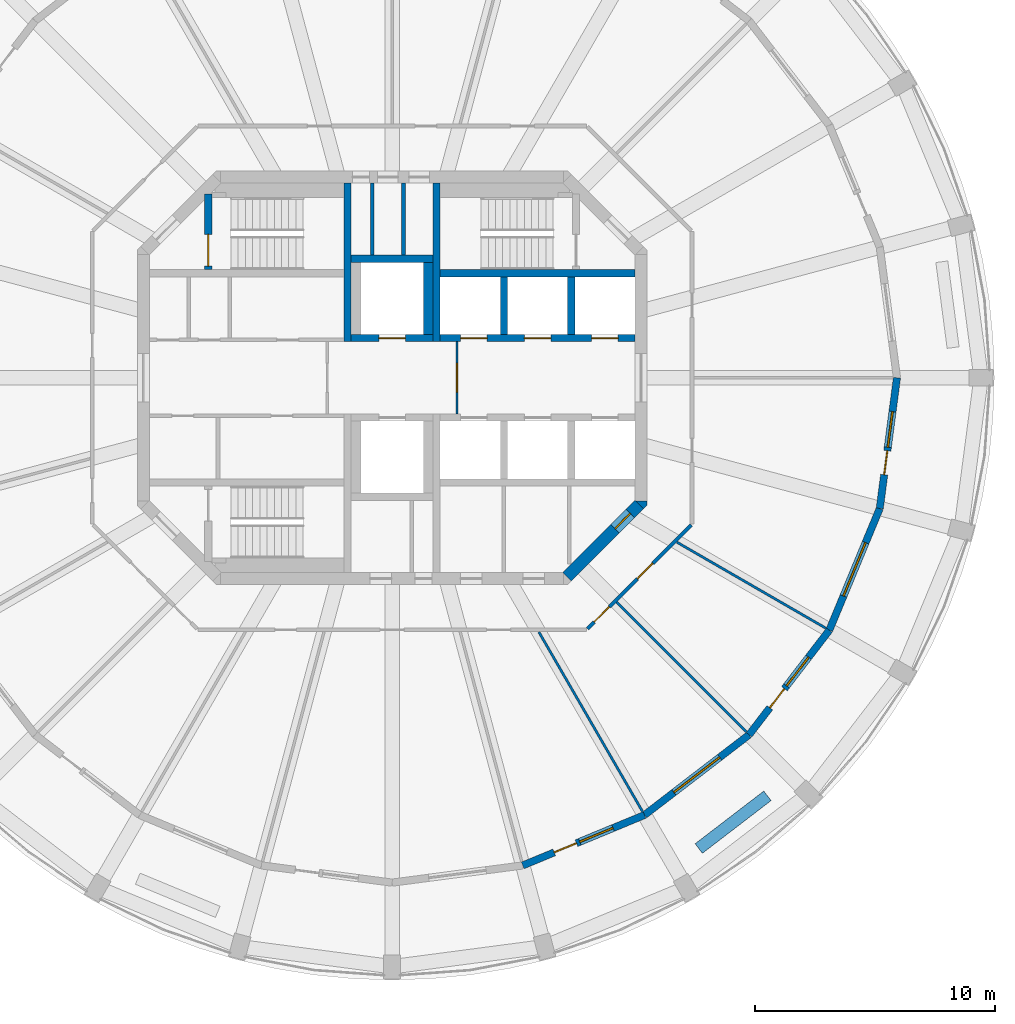
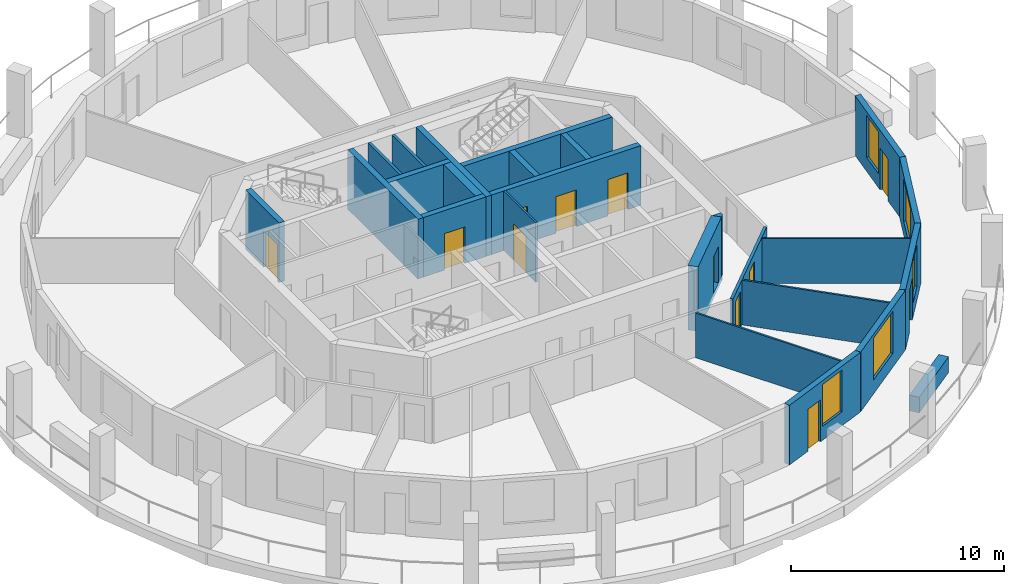
# One storey, part 4 of 8: 25 walls, 12 doors, 5 windows, 17 openings.
"""IFC4 building model written with IfcOpenShell, lengths in metres."""

from ifc_helpers import new_model, si_unit, direction, frame, frame_2d, origin, place, context, subcontext, project, spatial, polyline, rectangle, outline, extrude, material, layer, layer_set, type_object, element, fill, save


model = new_model("IFC4")

# Units and contexts
model_context = context("Model", 3, precision=1e-05, world=origin(), true_north=direction((0.0, 1.0)))
body_context = subcontext(model_context, "Body", "Model", "MODEL_VIEW")
ifc_project = project(units=[si_unit("LENGTHUNIT", "METRE"), si_unit("AREAUNIT", "SQUARE_METRE"), si_unit("VOLUMEUNIT", "CUBIC_METRE"), si_unit("PLANEANGLEUNIT", "RADIAN"), si_unit("MASSUNIT", "GRAM", prefix="KILO")], contexts=[model_context])

# Site, building, storey
site_placement = place(None, origin())
site = spatial("IfcSite", under=ifc_project, at=site_placement, CompositionType="ELEMENT")
building_placement = place(site_placement, origin())
building = spatial("IfcBuilding", under=site, at=building_placement, Name="Torre Triforio", CompositionType="ELEMENT")
storey_placement = place(building_placement, frame((0.0, 0.0, 257.5)))
storey = spatial("IfcBuildingStorey", under=building, at=storey_placement, Name="L59", CompositionType="ELEMENT", Elevation=257.5)

# Walls
ifc_material_1 = material(Name="Concrete C40", Category="concrete")
ifc_layer_1 = layer(ifc_material_1, 0.300048828125)
ifc_layer_set_1 = layer_set([ifc_layer_1], Name="Concrete C40")
wall_type_1 = type_object("IfcWallType", Name="Core wall 300 mm C40 EI 120", PredefinedType="SHEAR", material=ifc_layer_set_1)
for number, where, z_axis, x_axis, name in (
    (1, (-1.85009765625, 1.5, 0.0), (0.0, 0.0, 1.0), (0.0, 1.0, 0.0), "Core wall"),
    (2, (1.85009765625, 1.5, 0.0), (0.0, 0.0, 1.0), (0.0, 1.0, 0.0), "Core wall"),
):
    element("IfcWall", number, at=place(storey_placement, frame(where, z_axis=z_axis, x_axis=x_axis)), inside=storey, type_object=wall_type_1, Name=name, PredefinedType="SHEAR", context=body_context, shape_type="SweptSolid", body=[
        extrude(rectangle(XDim=6.60009765625, YDim=0.300048828125, at=frame_2d((3.300048828125, 0.0))), origin(), (0.0, 0.0, 1.0), 3.419921875),
    ])

# Wall, opening, door
ifc_layer_2 = layer(ifc_material_1, 0.5)
ifc_layer_set_2 = layer_set([ifc_layer_2], Name="Concrete C40")
wall_type_2 = type_object("IfcWallType", Name="Core wall 500 mm C40 EI 120", PredefinedType="SHEAR", material=ifc_layer_set_2)
wall_1_placement = place(storey_placement, frame((10.27685546875, -5.27685546875, -0.280029296875), z_axis=(0.0, 0.0, 1.0), x_axis=(-0.707106781187, -0.707106781187, 0.0)))
wall_1 = element("IfcWall", 3, at=wall_1_placement, inside=storey, type_object=wall_type_2, Name="Core wall", PredefinedType="SHEAR", context=body_context, shape_type="SweptSolid", body=[
    extrude(rectangle(XDim=4.24267578125, YDim=0.5, at=frame_2d((2.121337890625, 0.0))), origin(), (0.0, 0.0, 1.0), 3.699951171875),
])
opening_1_placement = place(wall_1_placement, frame((0.52001953125, 0.0, 0.280029296875)))
opening_1 = element("IfcOpeningElement", 4, at=opening_1_placement, cuts=wall_1, Name="Opening SE-03", PredefinedType="OPENING", context=body_context, shape_type="SweptSolid", body=[
    extrude(rectangle(XDim=0.89990234375, YDim=2.10009765625, at=frame_2d((0.449951171875, 1.050048828125))), frame((0.0, 0.260009765625, 0.0), z_axis=(0.0, -1.0, 0.0), x_axis=(1.0, 0.0, 0.0)), (0.0, 0.0, 1.0), 0.52001953125),
])
ifc_material_2 = material(Name="Hollow metal fire door leaf")
door_type_1 = type_object("IfcDoorType", Name="Room door 900 x 2100 EI 60", OperationType="NOTDEFINED", PredefinedType="DOOR", material=ifc_material_2)
door_1_placement = place(opening_1_placement, origin())
door_1 = element("IfcDoor", 5, at=door_1_placement, inside=storey, type_object=door_type_1, Name="Core door SE-03", OperationType="SINGLE_SWING_RIGHT", OverallHeight=2.10009765625, OverallWidth=0.89990234375, PredefinedType="DOOR", context=body_context, shape_type="SweptSolid", body=[
    extrude(rectangle(XDim=0.89990234375, YDim=2.10009765625, at=frame_2d((0.449951171875, 1.050048828125))), frame((0.0, 0.02490234375, 0.0), z_axis=(0.0, -1.0, 0.0), x_axis=(1.0, 0.0, 0.0)), (0.0, 0.0, 1.0), 0.050048828125),
])
fill(opening_1, door_1)

# Wall
wall_2_placement = place(storey_placement, frame((0.0, 0.0, -0.280029296875)))
element("IfcWall", 6, at=wall_2_placement, inside=storey, type_object=wall_type_2, Name="Core wall", PredefinedType="SHEAR", context=body_context, shape_type="SweptSolid", body=[
    extrude(outline(polyline([(10.60009765625, -5.30712890625), (10.45361328125, -5.45361328125), (10.1298828125, -5.1298828125), (10.60009765625, -5.1298828125), (10.60009765625, -5.30712890625)])), origin(), (0.0, 0.0, 1.0), 3.699951171875),
])

# Wall, openings, doors
ifc_material_3 = material(Name="Plasterboard on metal studs")
ifc_layer_3 = layer(ifc_material_3, 0.14990234375)
ifc_layer_set_3 = layer_set([ifc_layer_3], Name="Plasterboard on metal studs")
wall_type_3 = type_object("IfcWallType", Name="Corridor and tenancy wall 150 mm EI 60", PredefinedType="PARTITIONING", material=ifc_layer_set_3)
wall_3_placement = place(storey_placement, frame((12.43798828125, -6.120849609375, 0.0), z_axis=(0.0, 0.0, 1.0), x_axis=(-0.707106781187, -0.707106781187, 0.0)))
wall_3 = element("IfcWall", 7, at=wall_3_placement, inside=storey, type_object=wall_type_3, Name="Partition 1", PredefinedType="PARTITIONING", context=body_context, shape_type="SweptSolid", body=[
    extrude(rectangle(XDim=6.10546875, YDim=0.14990234375, at=frame_2d((3.052734375, 0.0))), origin(), (0.0, 0.0, 1.0), 2.570068359375),
])
opening_2_placement = place(wall_3_placement, frame((4.81103515625, 0.0, 0.0)))
opening_2 = element("IfcOpeningElement", 8, at=opening_2_placement, cuts=wall_3, Name="Opening E1-12", PredefinedType="OPENING", context=body_context, shape_type="SweptSolid", body=[
    extrude(rectangle(XDim=0.89990234375, YDim=2.10009765625, at=frame_2d((0.449951171875, 1.050048828125))), frame((0.0, 0.0849609375, 0.0), z_axis=(0.0, -1.0, 0.0), x_axis=(1.0, 0.0, 0.0)), (0.0, 0.0, 1.0), 0.169921875),
])
opening_3_placement = place(wall_3_placement, frame((2.2578125, 0.0, 0.0)))
opening_3 = element("IfcOpeningElement", 9, at=opening_3_placement, cuts=wall_3, Name="Opening E1-13", PredefinedType="OPENING", context=body_context, shape_type="SweptSolid", body=[
    extrude(rectangle(XDim=0.89990234375, YDim=2.10009765625, at=frame_2d((0.449951171875, 1.050048828125))), frame((0.0, 0.0849609375, 0.0), z_axis=(0.0, -1.0, 0.0), x_axis=(1.0, 0.0, 0.0)), (0.0, 0.0, 1.0), 0.169921875),
])
ifc_material_4 = material(Name="Timber", Category="wood")
door_type_2 = type_object("IfcDoorType", Name="Door 900 x 2100 single leaf EI 30", OperationType="NOTDEFINED", PredefinedType="DOOR", material=ifc_material_4)
door_2_placement = place(opening_2_placement, origin())
door_2 = element("IfcDoor", 10, at=door_2_placement, inside=storey, type_object=door_type_2, Name="Door E1-12", OperationType="SINGLE_SWING_LEFT", OverallHeight=2.10009765625, OverallWidth=0.89990234375, PredefinedType="DOOR", context=body_context, shape_type="SweptSolid", body=[
    extrude(rectangle(XDim=0.89990234375, YDim=2.10009765625, at=frame_2d((0.449951171875, 1.050048828125))), frame((0.0, 0.02490234375, 0.0), z_axis=(0.0, -1.0, 0.0), x_axis=(1.0, 0.0, 0.0)), (0.0, 0.0, 1.0), 0.050048828125),
])
fill(opening_2, door_2)
door_3_placement = place(opening_3_placement, origin())
door_3 = element("IfcDoor", 11, at=door_3_placement, inside=storey, type_object=door_type_2, Name="Door E1-13", OperationType="SINGLE_SWING_LEFT", OverallHeight=2.10009765625, OverallWidth=0.89990234375, PredefinedType="DOOR", context=body_context, shape_type="SweptSolid", body=[
    extrude(rectangle(XDim=0.89990234375, YDim=2.10009765625, at=frame_2d((0.449951171875, 1.050048828125))), frame((0.0, 0.02490234375, 0.0), z_axis=(0.0, -1.0, 0.0), x_axis=(1.0, 0.0, 0.0)), (0.0, 0.0, 1.0), 0.050048828125),
])
fill(opening_3, door_3)

# Wall, opening, door
ifc_material_5 = material(Name="Block and board partition")
ifc_layer_4 = layer(ifc_material_5, 0.10009765625)
ifc_layer_set_4 = layer_set([ifc_layer_4], Name="Block and board partition")
wall_type_4 = type_object("IfcWallType", Name="Partition 100 mm EI 120", PredefinedType="PARTITIONING", material=ifc_layer_set_4)
wall_4_placement = place(storey_placement, frame((2.699951171875, -1.5, 0.0), z_axis=(0.0, 0.0, 1.0), x_axis=(0.0, 1.0, 0.0)))
wall_4 = element("IfcWall", 12, at=wall_4_placement, inside=storey, type_object=wall_type_4, Name="Partition", PredefinedType="PARTITIONING", context=body_context, shape_type="SweptSolid", body=[
    extrude(rectangle(XDim=3.0, YDim=0.10009765625, at=frame_2d((1.5, 0.0))), origin(), (0.0, 0.0, 1.0), 3.419921875),
])
opening_4_placement = place(wall_4_placement, frame((0.89990234375, 0.0, 0.0)))
opening_4 = element("IfcOpeningElement", 13, at=opening_4_placement, cuts=wall_4, Name="Opening FF-E", PredefinedType="OPENING", context=body_context, shape_type="SweptSolid", body=[
    extrude(rectangle(XDim=1.199951171875, YDim=2.10009765625, at=frame_2d((0.60009765625, 1.050048828125))), frame((0.0, 0.06005859375, 0.0), z_axis=(0.0, -1.0, 0.0), x_axis=(1.0, 0.0, 0.0)), (0.0, 0.0, 1.0), 0.1201171875),
])
door_type_3 = type_object("IfcDoorType", Name="Fire-fighting lobby door 1200 x 2100 EI 60", OperationType="NOTDEFINED", PredefinedType="DOOR", material=ifc_material_2)
door_4_placement = place(opening_4_placement, origin())
door_4 = element("IfcDoor", 14, at=door_4_placement, inside=storey, type_object=door_type_3, Name="Core door FF-E", OperationType="SINGLE_SWING_LEFT", OverallHeight=2.10009765625, OverallWidth=1.199951171875, PredefinedType="DOOR", context=body_context, shape_type="SweptSolid", body=[
    extrude(rectangle(XDim=1.199951171875, YDim=2.10009765625, at=frame_2d((0.60009765625, 1.050048828125))), frame((0.0, 0.02490234375, 0.0), z_axis=(0.0, -1.0, 0.0), x_axis=(1.0, 0.0, 0.0)), (0.0, 0.0, 1.0), 0.050048828125),
])
fill(opening_4, door_4)

# Walls
ifc_layer_5 = layer(ifc_material_3, 0.10009765625)
ifc_layer_set_5 = layer_set([ifc_layer_5], Name="Plasterboard on metal studs")
wall_type_5 = type_object("IfcWallType", Name="Partition 100 mm board on metal studs", PredefinedType="PARTITIONING", material=ifc_layer_set_5)
wall_5_placement = place(storey_placement, frame((6.105224609375, -10.57470703125, 0.0), z_axis=(0.0, 0.0, 1.0), x_axis=(0.50001399067, -0.866017326117, 0.0)))
element("IfcWall", 15, at=wall_5_placement, inside=storey, type_object=wall_type_5, Name="Partition 21", PredefinedType="PARTITIONING", context=body_context, shape_type="SweptSolid", body=[
    extrude(rectangle(XDim=8.626220703125, YDim=0.10009765625, at=frame_2d((4.31298828125, 0.0))), origin(), (0.0, 0.0, 1.0), 2.570068359375),
])
wall_6_placement = place(storey_placement, frame((9.33251953125, -9.33251953125, 0.0), z_axis=(0.0, 0.0, 1.0), x_axis=(0.707106781187, -0.707106781187, 0.0)))
element("IfcWall", 16, at=wall_6_placement, inside=storey, type_object=wall_type_5, Name="Partition 22", PredefinedType="PARTITIONING", context=body_context, shape_type="SweptSolid", body=[
    extrude(rectangle(XDim=7.638671875, YDim=0.10009765625, at=frame_2d((3.8193359375, 0.0))), origin(), (0.0, 0.0, 1.0), 2.570068359375),
])
wall_7_placement = place(storey_placement, frame((11.845947265625, -6.839111328125, 0.0), z_axis=(0.0, 0.0, 1.0), x_axis=(0.866011787705, -0.500023583, 0.0)))
element("IfcWall", 17, at=wall_7_placement, inside=storey, type_object=wall_type_5, Name="Partition 23", PredefinedType="PARTITIONING", context=body_context, shape_type="SweptSolid", body=[
    extrude(rectangle(XDim=7.158447265625, YDim=0.10009765625, at=frame_2d((3.5791015625, 0.0))), origin(), (0.0, 0.0, 1.0), 2.570068359375),
])
ifc_layer_6 = layer(ifc_material_5, 0.14990234375)
ifc_layer_set_6 = layer_set([ifc_layer_6], Name="Block and board partition")
wall_type_6 = type_object("IfcWallType", Name="Partition 150 mm", PredefinedType="PARTITIONING", material=ifc_layer_set_6)
wall_8_placement = place(storey_placement, frame((0.47509765625, 5.10009765625, 0.0), z_axis=(0.0, 0.0, 1.0), x_axis=(0.0, 1.0, 0.0)))
element("IfcWall", 18, at=wall_8_placement, inside=storey, type_object=wall_type_6, Name="Partition", PredefinedType="PARTITIONING", context=body_context, shape_type="SweptSolid", body=[
    extrude(rectangle(XDim=3.0, YDim=0.14990234375, at=frame_2d((1.5, 0.0))), origin(), (0.0, 0.0, 1.0), 3.419921875),
])
ifc_layer_7 = layer(ifc_material_5, 0.14990234375)
ifc_layer_set_7 = layer_set([ifc_layer_7], Name="Block and board partition")
wall_type_7 = type_object("IfcWallType", Name="Partition 150 mm EI 120", PredefinedType="PARTITIONING", material=ifc_layer_set_7)
wall_9_placement = place(storey_placement, frame((-0.824951171875, 5.10009765625, 0.0), z_axis=(0.0, 0.0, 1.0), x_axis=(0.0, 1.0, 0.0)))
element("IfcWall", 19, at=wall_9_placement, inside=storey, type_object=wall_type_7, Name="Partition", PredefinedType="PARTITIONING", context=body_context, shape_type="SweptSolid", body=[
    extrude(rectangle(XDim=3.0, YDim=0.14990234375, at=frame_2d((1.5, 0.0))), origin(), (0.0, 0.0, 1.0), 3.419921875),
])
ifc_material_6 = material(Name="Limestone cladding", Category="masonry")
ifc_layer_8 = layer(ifc_material_6, 0.10009765625)
ifc_layer_9 = layer(ifc_material_1, 0.39990234375)
ifc_layer_set_8 = layer_set([ifc_layer_8, ifc_layer_9], Name="Limestone cladding / Concrete C40")
wall_type_8 = type_object("IfcWallType", Name="Planter wall 500", PredefinedType="PARAPET", material=ifc_layer_set_8)
wall_10_placement = place(storey_placement, frame((12.756103515625, -19.580810546875, 0.0), z_axis=(0.0, 0.0, 1.0), x_axis=(0.793384730612, 0.608720518162, 0.0)))
element("IfcWall", 20, at=wall_10_placement, inside=storey, type_object=wall_type_8, Name="Planter L59 bay 21", PredefinedType="PARAPET", context=body_context, shape_type="SweptSolid", body=[
    extrude(rectangle(XDim=3.60009765625, YDim=0.5, at=frame_2d((1.800048828125, 0.0))), origin(), (0.0, 0.0, 1.0), 0.89990234375),
])
ifc_layer_10 = layer(ifc_material_1, 0.300048828125)
ifc_layer_set_9 = layer_set([ifc_layer_10], Name="Concrete C40")
wall_type_9 = type_object("IfcWallType", Name="Shaft wall 300 mm C40 EI 120", PredefinedType="SOLIDWALL", material=ifc_layer_set_9)
wall_11_placement = place(storey_placement, frame((2.0, 4.35009765625, 0.0), z_axis=(0.0, 0.0, 1.0), x_axis=(1.0, 0.0, 0.0)))
element("IfcWall", 21, at=wall_11_placement, inside=storey, type_object=wall_type_9, Name="Shaft wall", PredefinedType="SOLIDWALL", context=body_context, shape_type="SweptSolid", body=[
    extrude(rectangle(XDim=8.10009765625, YDim=0.300048828125, at=frame_2d((4.050048828125, 0.0))), origin(), (0.0, 0.0, 1.0), 3.419921875),
])

# Wall, openings, doors
wall_12_placement = place(storey_placement, frame((2.0, 1.64990234375, 0.0), z_axis=(0.0, 0.0, 1.0), x_axis=(1.0, 0.0, 0.0)))
wall_12 = element("IfcWall", 22, at=wall_12_placement, inside=storey, type_object=wall_type_9, Name="Shaft wall", PredefinedType="SOLIDWALL", context=body_context, shape_type="SweptSolid", body=[
    extrude(rectangle(XDim=8.10009765625, YDim=0.300048828125, at=frame_2d((4.050048828125, 0.0))), origin(), (0.0, 0.0, 1.0), 3.419921875),
])
opening_5_placement = place(wall_12_placement, frame((0.85009765625, 0.0, 0.0)))
opening_5 = element("IfcOpeningElement", 23, at=opening_5_placement, cuts=wall_12, Name="Opening LD", PredefinedType="OPENING", context=body_context, shape_type="SweptSolid", body=[
    extrude(rectangle(XDim=1.10009765625, YDim=2.10009765625, at=frame_2d((0.550048828125, 1.050048828125))), frame((0.0, 0.159912109375, 0.0), z_axis=(0.0, -1.0, 0.0), x_axis=(1.0, 0.0, 0.0)), (0.0, 0.0, 1.0), 0.320068359375),
])
opening_6_placement = place(wall_12_placement, frame((3.5, 0.0, 0.0)))
opening_6 = element("IfcOpeningElement", 24, at=opening_6_placement, cuts=wall_12, Name="Opening LD", PredefinedType="OPENING", context=body_context, shape_type="SweptSolid", body=[
    extrude(rectangle(XDim=1.10009765625, YDim=2.10009765625, at=frame_2d((0.550048828125, 1.050048828125))), frame((0.0, 0.159912109375, 0.0), z_axis=(0.0, -1.0, 0.0), x_axis=(1.0, 0.0, 0.0)), (0.0, 0.0, 1.0), 0.320068359375),
])
opening_7_placement = place(wall_12_placement, frame((6.300048828125, 0.0, 0.0)))
opening_7 = element("IfcOpeningElement", 25, at=opening_7_placement, cuts=wall_12, Name="Opening LD", PredefinedType="OPENING", context=body_context, shape_type="SweptSolid", body=[
    extrude(rectangle(XDim=1.10009765625, YDim=2.10009765625, at=frame_2d((0.550048828125, 1.050048828125))), frame((0.0, 0.159912109375, 0.0), z_axis=(0.0, -1.0, 0.0), x_axis=(1.0, 0.0, 0.0)), (0.0, 0.0, 1.0), 0.320068359375),
])
door_type_4 = type_object("IfcDoorType", Name="Landing door 1100 x 2100 EI 60", OperationType="DOUBLE_DOOR_SLIDING", PredefinedType="DOOR", material=ifc_material_2)
door_5_placement = place(opening_5_placement, origin())
door_5 = element("IfcDoor", 26, at=door_5_placement, inside=storey, type_object=door_type_4, Name="Landing door HR1", OperationType="DOUBLE_DOOR_SLIDING", OverallHeight=2.10009765625, OverallWidth=1.10009765625, PredefinedType="DOOR", context=body_context, shape_type="SweptSolid", body=[
    extrude(rectangle(XDim=1.10009765625, YDim=2.10009765625, at=frame_2d((0.550048828125, 1.050048828125))), frame((0.0, 0.02490234375, 0.0), z_axis=(0.0, -1.0, 0.0), x_axis=(1.0, 0.0, 0.0)), (0.0, 0.0, 1.0), 0.050048828125),
])
fill(opening_5, door_5)
door_6_placement = place(opening_6_placement, origin())
door_6 = element("IfcDoor", 27, at=door_6_placement, inside=storey, type_object=door_type_4, Name="Landing door HR2", OperationType="DOUBLE_DOOR_SLIDING", OverallHeight=2.10009765625, OverallWidth=1.10009765625, PredefinedType="DOOR", context=body_context, shape_type="SweptSolid", body=[
    extrude(rectangle(XDim=1.10009765625, YDim=2.10009765625, at=frame_2d((0.550048828125, 1.050048828125))), frame((0.0, 0.02490234375, 0.0), z_axis=(0.0, -1.0, 0.0), x_axis=(1.0, 0.0, 0.0)), (0.0, 0.0, 1.0), 0.050048828125),
])
fill(opening_6, door_6)
door_7_placement = place(opening_7_placement, origin())
door_7 = element("IfcDoor", 28, at=door_7_placement, inside=storey, type_object=door_type_4, Name="Landing door HR3", OperationType="DOUBLE_DOOR_SLIDING", OverallHeight=2.10009765625, OverallWidth=1.10009765625, PredefinedType="DOOR", context=body_context, shape_type="SweptSolid", body=[
    extrude(rectangle(XDim=1.10009765625, YDim=2.10009765625, at=frame_2d((0.550048828125, 1.050048828125))), frame((0.0, 0.02490234375, 0.0), z_axis=(0.0, -1.0, 0.0), x_axis=(1.0, 0.0, 0.0)), (0.0, 0.0, 1.0), 0.050048828125),
])
fill(opening_7, door_7)

# Walls
for number, where, z_axis, x_axis, name in (
    (29, (4.64990234375, 1.800048828125, 0.0), (0.0, 0.0, 1.0), (0.0, 1.0, 0.0), "Shaft wall"),
    (30, (7.449951171875, 1.800048828125, 0.0), (0.0, 0.0, 1.0), (0.0, 1.0, 0.0), "Shaft wall"),
):
    element("IfcWall", number, at=place(storey_placement, frame(where, z_axis=z_axis, x_axis=x_axis)), inside=storey, type_object=wall_type_9, Name=name, PredefinedType="SOLIDWALL", context=body_context, shape_type="SweptSolid", body=[
        extrude(rectangle(XDim=2.39990234375, YDim=0.300048828125, at=frame_2d((1.199951171875, 0.0))), origin(), (0.0, 0.0, 1.0), 3.419921875),
    ])

# Wall, opening, door
wall_13_placement = place(storey_placement, frame((-1.699951171875, 1.64990234375, 0.0), z_axis=(0.0, 0.0, 1.0), x_axis=(1.0, 0.0, 0.0)))
wall_13 = element("IfcWall", 31, at=wall_13_placement, inside=storey, type_object=wall_type_9, Name="Shaft wall", PredefinedType="SOLIDWALL", context=body_context, shape_type="SweptSolid", body=[
    extrude(rectangle(XDim=3.39990234375, YDim=0.300048828125, at=frame_2d((1.699951171875, 0.0))), origin(), (0.0, 0.0, 1.0), 3.419921875),
])
opening_8_placement = place(wall_13_placement, frame((1.14990234375, 0.0, 0.0)))
opening_8 = element("IfcOpeningElement", 32, at=opening_8_placement, cuts=wall_13, Name="Opening LD", PredefinedType="OPENING", context=body_context, shape_type="SweptSolid", body=[
    extrude(rectangle(XDim=1.10009765625, YDim=2.10009765625, at=frame_2d((0.550048828125, 1.050048828125))), frame((0.0, 0.159912109375, 0.0), z_axis=(0.0, -1.0, 0.0), x_axis=(1.0, 0.0, 0.0)), (0.0, 0.0, 1.0), 0.320068359375),
])
door_8_placement = place(opening_8_placement, origin())
door_8 = element("IfcDoor", 33, at=door_8_placement, inside=storey, type_object=door_type_4, Name="Landing door FFL1", OperationType="DOUBLE_DOOR_SLIDING", OverallHeight=2.10009765625, OverallWidth=1.10009765625, PredefinedType="DOOR", context=body_context, shape_type="SweptSolid", body=[
    extrude(rectangle(XDim=1.10009765625, YDim=2.10009765625, at=frame_2d((0.550048828125, 1.050048828125))), frame((0.0, 0.02490234375, 0.0), z_axis=(0.0, -1.0, 0.0), x_axis=(1.0, 0.0, 0.0)), (0.0, 0.0, 1.0), 0.050048828125),
])
fill(opening_8, door_8)

# Walls
wall_14_placement = place(storey_placement, frame((-1.699951171875, 4.949951171875, 0.0), z_axis=(0.0, 0.0, 1.0), x_axis=(1.0, 0.0, 0.0)))
element("IfcWall", 34, at=wall_14_placement, inside=storey, type_object=wall_type_9, Name="Shaft wall", PredefinedType="SOLIDWALL", context=body_context, shape_type="SweptSolid", body=[
    extrude(rectangle(XDim=3.39990234375, YDim=0.300048828125, at=frame_2d((1.699951171875, 0.0))), origin(), (0.0, 0.0, 1.0), 3.419921875),
])
ifc_layer_11 = layer(ifc_material_1, 0.39990234375)
ifc_layer_set_10 = layer_set([ifc_layer_11], Name="Concrete C40")
wall_type_10 = type_object("IfcWallType", Name="Shaft wall 400 mm C40 EI 120", PredefinedType="SOLIDWALL", material=ifc_layer_set_10)
wall_15_placement = place(storey_placement, frame((1.5, 1.800048828125, 0.0), z_axis=(0.0, 0.0, 1.0), x_axis=(0.0, 1.0, 0.0)))
element("IfcWall", 35, at=wall_15_placement, inside=storey, type_object=wall_type_10, Name="Shaft wall", PredefinedType="SOLIDWALL", context=body_context, shape_type="SweptSolid", body=[
    extrude(rectangle(XDim=3.0, YDim=0.39990234375, at=frame_2d((1.5, 0.0))), origin(), (0.0, 0.0, 1.0), 3.419921875),
])

# Wall, opening, door
ifc_layer_12 = layer(ifc_material_1, 0.300048828125)
ifc_layer_set_11 = layer_set([ifc_layer_12], Name="Concrete C40")
wall_type_11 = type_object("IfcWallType", Name="Stair wall 300 mm C40 EI 120", PredefinedType="SHEAR", material=ifc_layer_set_11)
wall_16_placement = place(storey_placement, frame((-7.64990234375, 4.5, 0.0), z_axis=(0.0, 0.0, 1.0), x_axis=(0.0, 1.0, 0.0)))
wall_16 = element("IfcWall", 36, at=wall_16_placement, inside=storey, type_object=wall_type_11, Name="Stair wall", PredefinedType="SHEAR", context=body_context, shape_type="SweptSolid", body=[
    extrude(rectangle(XDim=3.139892578125, YDim=0.300048828125, at=frame_2d((1.56982421875, 0.0))), origin(), (0.0, 0.0, 1.0), 3.419921875),
])
opening_9_placement = place(wall_16_placement, frame((0.139892578125, 0.0, 0.0)))
opening_9 = element("IfcOpeningElement", 37, at=opening_9_placement, cuts=wall_16, Name="Opening ST1-STA", PredefinedType="OPENING", context=body_context, shape_type="SweptSolid", body=[
    extrude(rectangle(XDim=1.320068359375, YDim=2.10009765625, at=frame_2d((0.66015625, 1.050048828125))), frame((0.0, 0.159912109375, 0.0), z_axis=(0.0, -1.0, 0.0), x_axis=(1.0, 0.0, 0.0)), (0.0, 0.0, 1.0), 0.320068359375),
])
door_type_5 = type_object("IfcDoorType", Name="Stair door 1320 x 2100 EI 90", OperationType="DOUBLE_DOOR_SINGLE_SWING", PredefinedType="DOOR", material=ifc_material_2)
door_9_placement = place(opening_9_placement, origin())
door_9 = element("IfcDoor", 38, at=door_9_placement, inside=storey, type_object=door_type_5, Name="Core door ST1-ST", OperationType="DOUBLE_DOOR_SINGLE_SWING", OverallHeight=2.10009765625, OverallWidth=1.320068359375, PredefinedType="DOOR", context=body_context, shape_type="SweptSolid", body=[
    extrude(rectangle(XDim=1.320068359375, YDim=2.10009765625, at=frame_2d((0.66015625, 1.050048828125))), frame((0.0, 0.02490234375, 0.0), z_axis=(0.0, -1.0, 0.0), x_axis=(1.0, 0.0, 0.0)), (0.0, 0.0, 1.0), 0.050048828125),
])
fill(opening_9, door_9)

# Wall, openings, door, window
ifc_layer_13 = layer(ifc_material_6, 0.10009765625)
ifc_layer_14 = layer(ifc_material_1, 0.199951171875)
ifc_layer_set_12 = layer_set([ifc_layer_13, ifc_layer_14], Name="Limestone cladding / Concrete C40")
wall_type_12 = type_object("IfcWallType", Name="Stone-faced composite wall 300", PredefinedType="STANDARD", material=ifc_layer_set_12)
wall_17_placement = place(storey_placement, frame((5.435302734375, -20.284423828125, 0.0), z_axis=(0.0, 0.0, 1.0), x_axis=(0.923877333662, 0.382688740813, 0.0)))
wall_17 = element("IfcWall", 39, at=wall_17_placement, inside=storey, type_object=wall_type_12, Name="External wall L59 bay 20", PredefinedType="STANDARD", context=body_context, shape_type="SweptSolid", body=[
    extrude(rectangle(XDim=5.48193359375, YDim=0.300048828125, at=frame_2d((2.740966796875, 0.0))), origin(), (0.0, 0.0, 1.0), 3.419921875),
])
opening_10_placement = place(wall_17_placement, frame((1.416015625, 0.0, 0.0)))
opening_10 = element("IfcOpeningElement", 40, at=opening_10_placement, cuts=wall_17, Name="Opening E1-D20", PredefinedType="OPENING", context=body_context, shape_type="SweptSolid", body=[
    extrude(rectangle(XDim=1.0, YDim=2.39990234375, at=frame_2d((0.5, 1.199951171875))), frame((0.0, 0.159912109375, 0.0), z_axis=(0.0, -1.0, 0.0), x_axis=(1.0, 0.0, 0.0)), (0.0, 0.0, 1.0), 0.320068359375),
])
opening_11_placement = place(wall_17_placement, frame((2.566162109375, 0.0, 0.800048828125)))
opening_11 = element("IfcOpeningElement", 41, at=opening_11_placement, cuts=wall_17, Name="Opening E1-W20A", PredefinedType="OPENING", context=body_context, shape_type="SweptSolid", body=[
    extrude(rectangle(XDim=1.5, YDim=2.39990234375, at=frame_2d((0.75, 1.199951171875))), frame((0.0, 0.159912109375, 0.0), z_axis=(0.0, -1.0, 0.0), x_axis=(1.0, 0.0, 0.0)), (0.0, 0.0, 1.0), 0.320068359375),
])
ifc_material_7 = material(Name="Aluminium frame with clear double glazing", Category="aluminium")
door_type_6 = type_object("IfcDoorType", Name="Loggia door 1000 x 2400", OperationType="NOTDEFINED", PredefinedType="DOOR", material=ifc_material_7)
door_10_placement = place(opening_10_placement, origin())
door_10 = element("IfcDoor", 42, at=door_10_placement, inside=storey, type_object=door_type_6, Name="Loggia door L59 bay 20", OperationType="SINGLE_SWING_LEFT", OverallHeight=2.39990234375, OverallWidth=1.0, PredefinedType="DOOR", context=body_context, shape_type="SweptSolid", body=[
    extrude(rectangle(XDim=1.0, YDim=2.39990234375, at=frame_2d((0.5, 1.199951171875))), frame((0.0, 0.02490234375, 0.0), z_axis=(0.0, -1.0, 0.0), x_axis=(1.0, 0.0, 0.0)), (0.0, 0.0, 1.0), 0.050048828125),
])
fill(opening_10, door_10)
window_type_1 = type_object("IfcWindowType", Name="Side window 1500 x 2400", PartitioningType="SINGLE_PANEL", PredefinedType="WINDOW", material=ifc_material_7)
window_1_placement = place(opening_11_placement, origin())
window_1 = element("IfcWindow", 43, at=window_1_placement, inside=storey, type_object=window_type_1, Name="Side window EWN14 L59 bay 20", OverallHeight=2.39990234375, OverallWidth=1.5, PartitioningType="SINGLE_PANEL", PredefinedType="WINDOW", context=body_context, shape_type="SweptSolid", body=[
    extrude(rectangle(XDim=1.5, YDim=2.39990234375, at=frame_2d((0.75, 1.199951171875))), frame((0.0, 0.030029296875, 0.0), z_axis=(0.0, -1.0, 0.0), x_axis=(1.0, 0.0, 0.0)), (0.0, 0.0, 1.0), 0.06005859375),
])
fill(opening_11, window_1)

# Wall, opening, window
wall_18_placement = place(storey_placement, frame((10.5, -18.1865234375, 0.0), z_axis=(0.0, 0.0, 1.0), x_axis=(0.793335336593, 0.608784891166, 0.0)))
wall_18 = element("IfcWall", 44, at=wall_18_placement, inside=storey, type_object=wall_type_12, Name="External wall L59 bay 21", PredefinedType="STANDARD", context=body_context, shape_type="SweptSolid", body=[
    extrude(rectangle(XDim=5.482177734375, YDim=0.300048828125, at=frame_2d((2.7412109375, 0.0))), origin(), (0.0, 0.0, 1.0), 3.419921875),
])
opening_12_placement = place(wall_18_placement, frame((1.541015625, 0.0, 0.800048828125)))
opening_12 = element("IfcOpeningElement", 45, at=opening_12_placement, cuts=wall_18, Name="Opening E1-W21", PredefinedType="OPENING", context=body_context, shape_type="SweptSolid", body=[
    extrude(rectangle(XDim=2.39990234375, YDim=2.39990234375, at=frame_2d((1.199951171875, 1.199951171875))), frame((0.0, 0.159912109375, 0.0), z_axis=(0.0, -1.0, 0.0), x_axis=(1.0, 0.0, 0.0)), (0.0, 0.0, 1.0), 0.320068359375),
])
window_type_2 = type_object("IfcWindowType", Name="Punched window 2400 x 2400", PartitioningType="DOUBLE_PANEL_VERTICAL", PredefinedType="WINDOW", material=ifc_material_7)
window_2_placement = place(opening_12_placement, origin())
window_2 = element("IfcWindow", 46, at=window_2_placement, inside=storey, type_object=window_type_2, Name="Window EWN4 L59 bay 21", OverallHeight=2.39990234375, OverallWidth=2.39990234375, PartitioningType="SINGLE_PANEL", PredefinedType="WINDOW", context=body_context, shape_type="SweptSolid", body=[
    extrude(rectangle(XDim=2.39990234375, YDim=2.39990234375, at=frame_2d((1.199951171875, 1.199951171875))), frame((0.0, 0.030029296875, 0.0), z_axis=(0.0, -1.0, 0.0), x_axis=(1.0, 0.0, 0.0)), (0.0, 0.0, 1.0), 0.06005859375),
])
fill(opening_12, window_2)

# Wall, openings, door, window
wall_19_placement = place(storey_placement, frame((14.84912109375, -14.84912109375, 0.0), z_axis=(0.0, 0.0, 1.0), x_axis=(0.608784891166, 0.793335336593, 0.0)))
wall_19 = element("IfcWall", 47, at=wall_19_placement, inside=storey, type_object=wall_type_12, Name="External wall L59 bay 22", PredefinedType="STANDARD", context=body_context, shape_type="SweptSolid", body=[
    extrude(rectangle(XDim=5.482177734375, YDim=0.300048828125, at=frame_2d((2.7412109375, 0.0))), origin(), (0.0, 0.0, 1.0), 3.419921875),
])
opening_13_placement = place(wall_19_placement, frame((1.416015625, 0.0, 0.0)))
opening_13 = element("IfcOpeningElement", 48, at=opening_13_placement, cuts=wall_19, Name="Opening E1-D22", PredefinedType="OPENING", context=body_context, shape_type="SweptSolid", body=[
    extrude(rectangle(XDim=1.0, YDim=2.39990234375, at=frame_2d((0.5, 1.199951171875))), frame((0.0, 0.159912109375, 0.0), z_axis=(0.0, -1.0, 0.0), x_axis=(1.0, 0.0, 0.0)), (0.0, 0.0, 1.0), 0.320068359375),
])
opening_14_placement = place(wall_19_placement, frame((2.56591796875, 0.0, 0.800048828125)))
opening_14 = element("IfcOpeningElement", 49, at=opening_14_placement, cuts=wall_19, Name="Opening E1-W22A", PredefinedType="OPENING", context=body_context, shape_type="SweptSolid", body=[
    extrude(rectangle(XDim=1.5, YDim=2.39990234375, at=frame_2d((0.75, 1.199951171875))), frame((0.0, 0.159912109375, 0.0), z_axis=(0.0, -1.0, 0.0), x_axis=(1.0, 0.0, 0.0)), (0.0, 0.0, 1.0), 0.320068359375),
])
door_11_placement = place(opening_13_placement, origin())
door_11 = element("IfcDoor", 50, at=door_11_placement, inside=storey, type_object=door_type_6, Name="Loggia door L59 bay 22", OperationType="SINGLE_SWING_LEFT", OverallHeight=2.39990234375, OverallWidth=1.0, PredefinedType="DOOR", context=body_context, shape_type="SweptSolid", body=[
    extrude(rectangle(XDim=1.0, YDim=2.39990234375, at=frame_2d((0.5, 1.199951171875))), frame((0.0, 0.02490234375, 0.0), z_axis=(0.0, -1.0, 0.0), x_axis=(1.0, 0.0, 0.0)), (0.0, 0.0, 1.0), 0.050048828125),
])
fill(opening_13, door_11)
window_3_placement = place(opening_14_placement, origin())
window_3 = element("IfcWindow", 51, at=window_3_placement, inside=storey, type_object=window_type_1, Name="Side window EWN14 L59 bay 22", OverallHeight=2.39990234375, OverallWidth=1.5, PartitioningType="SINGLE_PANEL", PredefinedType="WINDOW", context=body_context, shape_type="SweptSolid", body=[
    extrude(rectangle(XDim=1.5, YDim=2.39990234375, at=frame_2d((0.75, 1.199951171875))), frame((0.0, 0.030029296875, 0.0), z_axis=(0.0, -1.0, 0.0), x_axis=(1.0, 0.0, 0.0)), (0.0, 0.0, 1.0), 0.06005859375),
])
fill(opening_14, window_3)

# Wall, opening, window
wall_20_placement = place(storey_placement, frame((18.1865234375, -10.5, 0.0), z_axis=(0.0, 0.0, 1.0), x_axis=(0.382688740813, 0.923877333662, 0.0)))
wall_20 = element("IfcWall", 52, at=wall_20_placement, inside=storey, type_object=wall_type_12, Name="External wall L59 bay 23", PredefinedType="STANDARD", context=body_context, shape_type="SweptSolid", body=[
    extrude(rectangle(XDim=5.48193359375, YDim=0.300048828125, at=frame_2d((2.740966796875, 0.0))), origin(), (0.0, 0.0, 1.0), 3.419921875),
])
opening_15_placement = place(wall_20_placement, frame((1.541015625, 0.0, 0.800048828125)))
opening_15 = element("IfcOpeningElement", 53, at=opening_15_placement, cuts=wall_20, Name="Opening E1-W23", PredefinedType="OPENING", context=body_context, shape_type="SweptSolid", body=[
    extrude(rectangle(XDim=2.39990234375, YDim=2.39990234375, at=frame_2d((1.199951171875, 1.199951171875))), frame((0.0, 0.159912109375, 0.0), z_axis=(0.0, -1.0, 0.0), x_axis=(1.0, 0.0, 0.0)), (0.0, 0.0, 1.0), 0.320068359375),
])
window_4_placement = place(opening_15_placement, origin())
window_4 = element("IfcWindow", 54, at=window_4_placement, inside=storey, type_object=window_type_2, Name="Window EWN4 L59 bay 23", OverallHeight=2.39990234375, OverallWidth=2.39990234375, PartitioningType="SINGLE_PANEL", PredefinedType="WINDOW", context=body_context, shape_type="SweptSolid", body=[
    extrude(rectangle(XDim=2.39990234375, YDim=2.39990234375, at=frame_2d((1.199951171875, 1.199951171875))), frame((0.0, 0.030029296875, 0.0), z_axis=(0.0, -1.0, 0.0), x_axis=(1.0, 0.0, 0.0)), (0.0, 0.0, 1.0), 0.06005859375),
])
fill(opening_15, window_4)

# Wall, openings, door, window
wall_21_placement = place(storey_placement, frame((20.284423828125, -5.435302734375, 0.0), z_axis=(0.0, 0.0, 1.0), x_axis=(0.130527087244, 0.991444743541, 0.0)))
wall_21 = element("IfcWall", 55, at=wall_21_placement, inside=storey, type_object=wall_type_12, Name="External wall L59 bay 24", PredefinedType="STANDARD", context=body_context, shape_type="SweptSolid", body=[
    extrude(rectangle(XDim=5.482177734375, YDim=0.300048828125, at=frame_2d((2.7412109375, 0.0))), origin(), (0.0, 0.0, 1.0), 3.419921875),
])
opening_16_placement = place(wall_21_placement, frame((1.416015625, 0.0, 0.0)))
opening_16 = element("IfcOpeningElement", 56, at=opening_16_placement, cuts=wall_21, Name="Opening E1-D24", PredefinedType="OPENING", context=body_context, shape_type="SweptSolid", body=[
    extrude(rectangle(XDim=1.0, YDim=2.39990234375, at=frame_2d((0.5, 1.199951171875))), frame((0.0, 0.159912109375, 0.0), z_axis=(0.0, -1.0, 0.0), x_axis=(1.0, 0.0, 0.0)), (0.0, 0.0, 1.0), 0.320068359375),
])
opening_17_placement = place(wall_21_placement, frame((2.566162109375, 0.0, 0.800048828125)))
opening_17 = element("IfcOpeningElement", 57, at=opening_17_placement, cuts=wall_21, Name="Opening E1-W24A", PredefinedType="OPENING", context=body_context, shape_type="SweptSolid", body=[
    extrude(rectangle(XDim=1.5, YDim=2.39990234375, at=frame_2d((0.75, 1.199951171875))), frame((0.0, 0.159912109375, 0.0), z_axis=(0.0, -1.0, 0.0), x_axis=(1.0, 0.0, 0.0)), (0.0, 0.0, 1.0), 0.320068359375),
])
door_12_placement = place(opening_16_placement, origin())
door_12 = element("IfcDoor", 58, at=door_12_placement, inside=storey, type_object=door_type_6, Name="Loggia door L59 bay 24", OperationType="SINGLE_SWING_LEFT", OverallHeight=2.39990234375, OverallWidth=1.0, PredefinedType="DOOR", context=body_context, shape_type="SweptSolid", body=[
    extrude(rectangle(XDim=1.0, YDim=2.39990234375, at=frame_2d((0.5, 1.199951171875))), frame((0.0, 0.02490234375, 0.0), z_axis=(0.0, -1.0, 0.0), x_axis=(1.0, 0.0, 0.0)), (0.0, 0.0, 1.0), 0.050048828125),
])
fill(opening_16, door_12)
window_5_placement = place(opening_17_placement, origin())
window_5 = element("IfcWindow", 59, at=window_5_placement, inside=storey, type_object=window_type_1, Name="Side window EWN14 L59 bay 24", OverallHeight=2.39990234375, OverallWidth=1.5, PartitioningType="SINGLE_PANEL", PredefinedType="WINDOW", context=body_context, shape_type="SweptSolid", body=[
    extrude(rectangle(XDim=1.5, YDim=2.39990234375, at=frame_2d((0.75, 1.199951171875))), frame((0.0, 0.030029296875, 0.0), z_axis=(0.0, -1.0, 0.0), x_axis=(1.0, 0.0, 0.0)), (0.0, 0.0, 1.0), 0.06005859375),
])
fill(opening_17, window_5)

save(model, "model.ifc")
